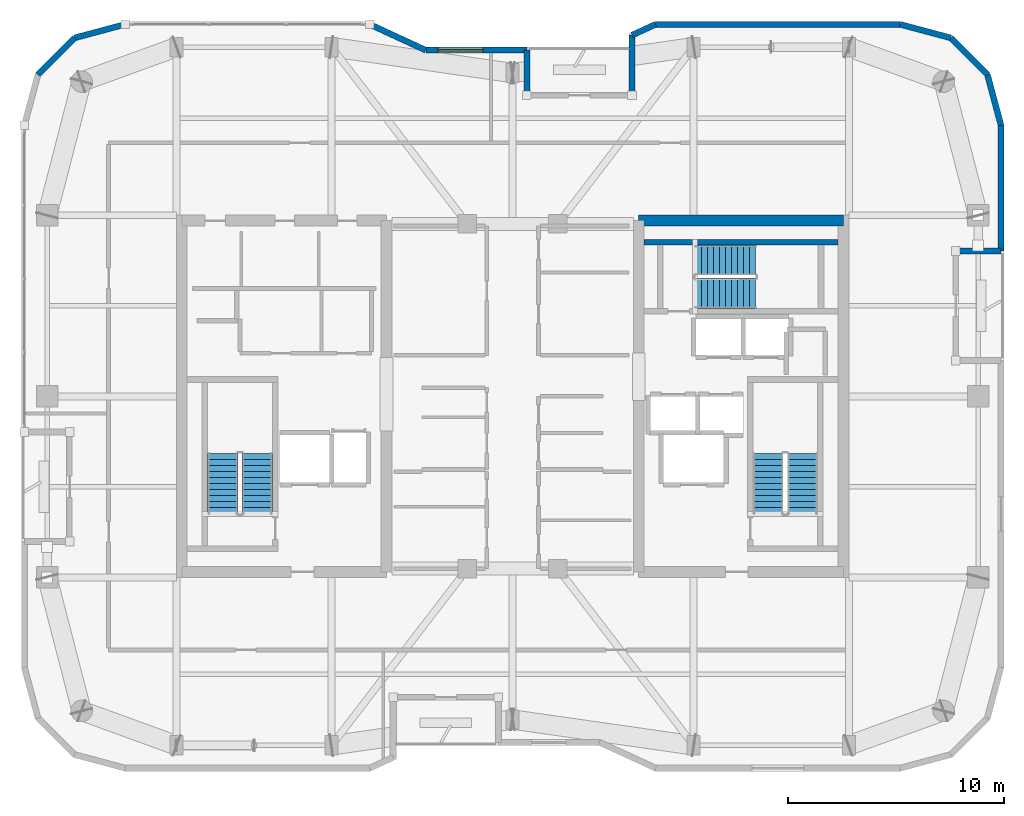
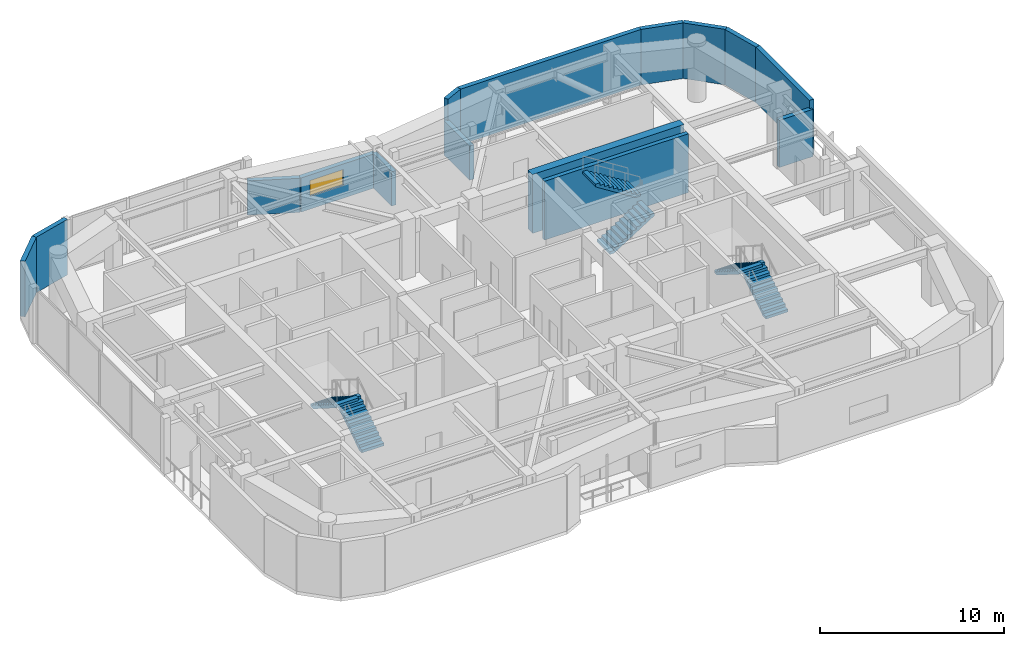
# One storey, part 13 of 15: 15 walls, 6 stair flights, 1 window, 1 opening, 3 elements without a shape of their own.
"""IFC4 building model written with IfcOpenShell, lengths in metres."""

from ifc_helpers import new_model, si_unit, direction, frame, frame_2d, origin, place, context, subcontext, project, spatial, polyline, rectangle, outline, extrude, material, layer, layer_set, type_object, element, fill, aggregate, save


model = new_model("IFC4")

# Units and contexts
model_context = context("Model", 3, precision=1e-05, world=origin(), true_north=direction((0.0, 1.0)))
body_context = subcontext(model_context, "Body", "Model", "MODEL_VIEW")
ifc_project = project(units=[si_unit("LENGTHUNIT", "METRE"), si_unit("AREAUNIT", "SQUARE_METRE"), si_unit("VOLUMEUNIT", "CUBIC_METRE"), si_unit("PLANEANGLEUNIT", "RADIAN"), si_unit("MASSUNIT", "GRAM", prefix="KILO")], contexts=[model_context])

# Site, building, storey
site_placement = place(None, origin())
site = spatial("IfcSite", under=ifc_project, at=site_placement, CompositionType="ELEMENT")
building_placement = place(site_placement, origin())
building = spatial("IfcBuilding", under=site, at=building_placement, Name="Kiyonajd Concourse Tower", CompositionType="ELEMENT")
storey_placement = place(building_placement, frame((0.0, 0.0, 290.10009765625)))
storey = spatial("IfcBuildingStorey", under=building, at=storey_placement, Name="L73", CompositionType="ELEMENT", Elevation=290.10009765625)

# Walls
ifc_material_1 = material(Name="Concrete C60/75", Category="concrete")
ifc_layer_1 = layer(ifc_material_1, 0.5)
ifc_layer_set_1 = layer_set([ifc_layer_1], Name="Concrete C60/75")
wall_type_1 = type_object("IfcWallType", Name="WL-CORE-500", PredefinedType="SHEAR", material=ifc_layer_set_1)
wall_1_placement = place(storey_placement, frame((53.85009765625, 44.14990234375, 0.0), z_axis=(0.0, 0.0, 1.0), x_axis=(1.0, 0.0, 0.0)))
element("IfcWall", 1, at=wall_1_placement, inside=storey, type_object=wall_type_1, Name="L73 East Core North Shear Wall", PredefinedType="SHEAR", context=body_context, shape_type="SweptSolid", body=[
    extrude(rectangle(XDim=9.5, YDim=0.5, at=frame_2d((4.75, 0.0))), origin(), (0.0, 0.0, 1.0), 3.89990234375),
])
ifc_material_2 = material(Name="Precast concrete C50/60", Category="concrete")
ifc_layer_2 = layer(ifc_material_2, 0.280029296875)
ifc_layer_set_2 = layer_set([ifc_layer_2], Name="Precast concrete C50/60")
wall_type_2 = type_object("IfcWallType", Name="WL-EXT-280", PredefinedType="SOLIDWALL", material=ifc_layer_set_2)
wall_2_placement = place(storey_placement, frame((25.968505859375, 50.927490234375, 0.0), z_axis=(0.0, 0.0, 1.0), x_axis=(0.707106781187, 0.707106781187, 0.0)))
element("IfcWall", 2, at=wall_2_placement, inside=storey, type_object=wall_type_2, Name="L73 Exterior Concrete Frame Wall 07", PredefinedType="SOLIDWALL", context=body_context, shape_type="SweptSolid", body=[
    extrude(rectangle(XDim=2.409912109375, YDim=0.280029296875, at=frame_2d((1.205078125, 0.0))), origin(), (0.0, 0.0, 1.0), 3.679931640625),
])
wall_3_placement = place(storey_placement, frame((27.672607421875, 52.631591796875, 0.0), z_axis=(0.0, 0.0, 1.0), x_axis=(0.965937282298, 0.25877628691, 0.0)))
element("IfcWall", 3, at=wall_3_placement, inside=storey, type_object=wall_type_2, Name="L73 Exterior Concrete Frame Wall 08", PredefinedType="SOLIDWALL", context=body_context, shape_type="SweptSolid", body=[
    extrude(rectangle(XDim=2.428466796875, YDim=0.280029296875, at=frame_2d((1.21435546875, 0.0))), origin(), (0.0, 0.0, 1.0), 3.679931640625),
])
wall_4_placement = place(storey_placement, frame((41.369384765625, 53.260009765625, 0.0), z_axis=(0.0, 0.0, 1.0), x_axis=(0.907956889006, -0.419063584324, 0.0)))
element("IfcWall", 4, at=wall_4_placement, inside=storey, type_object=wall_type_2, Name="L73 Exterior Concrete Frame Wall 10", PredefinedType="SOLIDWALL", context=body_context, shape_type="SweptSolid", body=[
    extrude(rectangle(XDim=2.863525390625, YDim=0.280029296875, at=frame_2d((1.431640625, 0.0))), origin(), (0.0, 0.0, 1.0), 2.264892578125),
])

# Wall, opening, window
wall_5_placement = place(storey_placement, frame((43.96923828125, 52.06005859375, 0.0), z_axis=(0.0, 0.0, 1.0), x_axis=(1.0, 0.0, 0.0)))
wall_5 = element("IfcWall", 5, at=wall_5_placement, inside=storey, type_object=wall_type_2, Name="L73 Exterior Concrete Frame Wall 11", PredefinedType="SOLIDWALL", context=body_context, shape_type="SweptSolid", body=[
    extrude(rectangle(XDim=4.690673828125, YDim=0.280029296875, at=frame_2d((2.34521484375, 0.0))), origin(), (0.0, 0.0, 1.0), 2.264892578125),
])
opening_placement = place(wall_5_placement, frame((0.56005859375, 0.0, 0.85009765625)))
opening = element("IfcOpeningElement", 6, at=opening_placement, cuts=wall_5, Name="Opening WN5", PredefinedType="OPENING", context=body_context, shape_type="SweptSolid", body=[
    extrude(rectangle(XDim=2.10009765625, YDim=1.050048828125, at=frame_2d((1.050048828125, 0.52490234375))), frame((0.0, 0.14990234375, 0.0), z_axis=(0.0, -1.0, 0.0), x_axis=(1.0, 0.0, 0.0)), (0.0, 0.0, 1.0), 0.300048828125),
])
ifc_material_3 = material(Name="Double Low-E Insulated Glass", Category="glass")
window_type = type_object("IfcWindowType", Name="WN-VIS-2100x1050", PartitioningType="SINGLE_PANEL", PredefinedType="WINDOW", material=ifc_material_3)
window_placement = place(opening_placement, origin())
window = element("IfcWindow", 7, at=window_placement, inside=storey, type_object=window_type, Name="L73 Modular Facade Vision Window 11", OverallHeight=1.050048828125, OverallWidth=2.10009765625, PartitioningType="SINGLE_PANEL", PredefinedType="WINDOW", context=body_context, shape_type="SweptSolid", body=[
    extrude(rectangle(XDim=2.10009765625, YDim=1.050048828125, at=frame_2d((1.050048828125, 0.52490234375))), frame((0.0, 0.030029296875, 0.0), z_axis=(0.0, -1.0, 0.0), x_axis=(1.0, 0.0, 0.0)), (0.0, 0.0, 1.0), 0.06005859375),
])
fill(opening, window)

# Walls
wall_6_placement = place(storey_placement, frame((48.659912109375, 52.06005859375, 0.0), z_axis=(0.0, 0.0, 1.0), x_axis=(0.0, -1.0, 0.0)))
element("IfcWall", 8, at=wall_6_placement, inside=storey, type_object=wall_type_2, Name="L73 Exterior Concrete Frame Wall 12", PredefinedType="SOLIDWALL", context=body_context, shape_type="SweptSolid", body=[
    extrude(rectangle(XDim=2.10009765625, YDim=0.280029296875, at=frame_2d((1.050048828125, 0.0))), origin(), (0.0, 0.0, 1.0), 2.264892578125),
])
wall_7_placement = place(storey_placement, frame((53.5400390625, 49.9599609375, 0.0), z_axis=(0.0, 0.0, 1.0), x_axis=(0.0, 1.0, 0.0)))
element("IfcWall", 9, at=wall_7_placement, inside=storey, type_object=wall_type_2, Name="L73 Exterior Concrete Frame Wall 14", PredefinedType="SOLIDWALL", context=body_context, shape_type="SweptSolid", body=[
    extrude(rectangle(XDim=2.79638671875, YDim=0.280029296875, at=frame_2d((1.398193359375, 0.0))), origin(), (0.0, 0.0, 1.0), 2.264892578125),
])
wall_8_placement = place(storey_placement, frame((53.5400390625, 52.75634765625, 0.0), z_axis=(0.0, 0.0, 1.0), x_axis=(0.907893953211, 0.419199916176, 0.0)))
element("IfcWall", 10, at=wall_8_placement, inside=storey, type_object=wall_type_2, Name="L73 Exterior Concrete Frame Wall 15", PredefinedType="SOLIDWALL", context=body_context, shape_type="SweptSolid", body=[
    extrude(rectangle(XDim=1.201416015625, YDim=0.280029296875, at=frame_2d((0.6005859375, 0.0))), origin(), (0.0, 0.0, 1.0), 3.679931640625),
])
wall_9_placement = place(storey_placement, frame((54.630859375, 53.260009765625, 0.0), z_axis=(0.0, 0.0, 1.0), x_axis=(1.0, 0.0, 0.0)))
element("IfcWall", 11, at=wall_9_placement, inside=storey, type_object=wall_type_2, Name="L73 Exterior Concrete Frame Wall 16", PredefinedType="SOLIDWALL", context=body_context, shape_type="SweptSolid", body=[
    extrude(rectangle(XDim=11.350830078125, YDim=0.280029296875, at=frame_2d((5.67529296875, 0.0))), origin(), (0.0, 0.0, 1.0), 3.679931640625),
])
wall_10_placement = place(storey_placement, frame((65.981689453125, 53.260009765625, 0.0), z_axis=(0.0, 0.0, 1.0), x_axis=(0.965937282298, -0.25877628691, 0.0)))
element("IfcWall", 12, at=wall_10_placement, inside=storey, type_object=wall_type_2, Name="L73 Exterior Concrete Frame Wall 17", PredefinedType="SOLIDWALL", context=body_context, shape_type="SweptSolid", body=[
    extrude(rectangle(XDim=2.428466796875, YDim=0.280029296875, at=frame_2d((1.21435546875, 0.0))), origin(), (0.0, 0.0, 1.0), 3.679931640625),
])
wall_11_placement = place(storey_placement, frame((68.327392578125, 52.631591796875, 0.0), z_axis=(0.0, 0.0, 1.0), x_axis=(0.707106781187, -0.707106781187, 0.0)))
element("IfcWall", 13, at=wall_11_placement, inside=storey, type_object=wall_type_2, Name="L73 Exterior Concrete Frame Wall 18", PredefinedType="SOLIDWALL", context=body_context, shape_type="SweptSolid", body=[
    extrude(rectangle(XDim=2.409912109375, YDim=0.280029296875, at=frame_2d((1.205078125, 0.0))), origin(), (0.0, 0.0, 1.0), 3.679931640625),
])
wall_12_placement = place(storey_placement, frame((70.031494140625, 50.927490234375, 0.0), z_axis=(0.0, 0.0, 1.0), x_axis=(0.258751159445, -0.965944013639, 0.0)))
element("IfcWall", 14, at=wall_12_placement, inside=storey, type_object=wall_type_2, Name="L73 Exterior Concrete Frame Wall 19", PredefinedType="SOLIDWALL", context=body_context, shape_type="SweptSolid", body=[
    extrude(rectangle(XDim=2.4287109375, YDim=0.280029296875, at=frame_2d((1.21435546875, 0.0))), origin(), (0.0, 0.0, 1.0), 3.679931640625),
])
wall_13_placement = place(storey_placement, frame((70.659912109375, 48.58154296875, 0.0), z_axis=(0.0, 0.0, 1.0), x_axis=(0.0, -1.0, 0.0)))
element("IfcWall", 15, at=wall_13_placement, inside=storey, type_object=wall_type_2, Name="L73 Exterior Concrete Frame Wall 20", PredefinedType="SOLIDWALL", context=body_context, shape_type="SweptSolid", body=[
    extrude(rectangle(XDim=5.841552734375, YDim=0.280029296875, at=frame_2d((2.9208984375, 0.0))), origin(), (0.0, 0.0, 1.0), 3.679931640625),
])
wall_14_placement = place(storey_placement, frame((70.659912109375, 42.739990234375, 0.0), z_axis=(0.0, 0.0, 1.0), x_axis=(-1.0, 0.0, 0.0)))
element("IfcWall", 16, at=wall_14_placement, inside=storey, type_object=wall_type_2, Name="L73 Exterior Concrete Frame Wall 21", PredefinedType="SOLIDWALL", context=body_context, shape_type="SweptSolid", body=[
    extrude(rectangle(XDim=2.099853515625, YDim=0.280029296875, at=frame_2d((1.0498046875, 0.0))), origin(), (0.0, 0.0, 1.0), 3.1259765625),
])
ifc_material_4 = material(Name="Concrete C50/60", Category="concrete")
ifc_layer_3 = layer(ifc_material_4, 0.260009765625)
ifc_layer_set_3 = layer_set([ifc_layer_3], Name="Concrete C50/60")
wall_type_3 = type_object("IfcWallType", Name="WL-STAIR-260", PredefinedType="SHEAR", material=ifc_layer_set_3)
wall_15_placement = place(storey_placement, frame((54.10009765625, 43.14990234375, 0.0), z_axis=(0.0, 0.0, 1.0), x_axis=(1.0, 0.0, 0.0)))
element("IfcWall", 17, at=wall_15_placement, inside=storey, type_object=wall_type_3, Name="L73 Stair ST3 Structural North Wall", PredefinedType="SHEAR", context=body_context, shape_type="SweptSolid", body=[
    extrude(rectangle(XDim=9.0, YDim=0.260009765625, at=frame_2d((4.5, 0.0))), origin(), (0.0, 0.0, 1.0), 3.89990234375),
])

# Stair, stair flights
ifc_material_5 = material(Name="Concrete C40/50", Category="concrete")
stair_type = type_object("IfcStairType", Name="ST-DLG-22R", PredefinedType="HALF_TURN_STAIR", material=ifc_material_5)
stair_1_placement = place(storey_placement, origin())
stair_1 = element("IfcStair", 18, at=stair_1_placement, inside=storey, type_object=stair_type, Name="L73 Protected Exit Stair ST1", PredefinedType="HALF_TURN_STAIR")
stair_flight_type = type_object("IfcStairFlightType", Name="SF-STR-22R", PredefinedType="STRAIGHT", material=ifc_material_5)
stair_flight_1_placement = place(storey_placement, frame((36.14990234375, 30.550048828125, 0.0), z_axis=(0.0, 0.0, 1.0), x_axis=(0.0, 1.0, 0.0)))
stair_flight_1 = element("IfcStairFlight", 19, at=stair_flight_1_placement, type_object=stair_flight_type, Name="ST1 flight 1", NumberOfRisers=11, NumberOfTreads=10, PredefinedType="STRAIGHT", RiserHeight=0.177272727, TreadLength=0.28, context=body_context, shape_type="SweptSolid", body=[
    extrude(outline(polyline([(0.0, 0.0), (0.0, 0.17724609375), (0.280029296875, 0.17724609375), (0.280029296875, 0.3544921875), (0.56005859375, 0.3544921875), (0.56005859375, 0.53173828125), (0.840087890625, 0.53173828125), (0.840087890625, 0.708984375), (1.1201171875, 0.708984375), (1.1201171875, 0.886474609375), (1.39990234375, 0.886474609375), (1.39990234375, 1.063720703125), (1.679931640625, 1.063720703125), (1.679931640625, 1.240966796875), (1.9599609375, 1.240966796875), (1.9599609375, 1.418212890625), (2.239990234375, 1.418212890625), (2.239990234375, 1.595458984375), (2.52001953125, 1.595458984375), (2.52001953125, 1.772705078125), (2.800048828125, 1.772705078125), (2.800048828125, 1.949951171875), (2.800048828125, 1.59521484375), (0.2802734375, 0.0), (0.0, 0.0)])), frame((0.0, 0.699951171875, 0.0), z_axis=(0.0, -1.0, 0.0), x_axis=(1.0, 0.0, 0.0)), (0.0, 0.0, 1.0), 1.39990234375),
])
stair_flight_2_placement = place(storey_placement, frame((34.550048828125, 33.35009765625, 1.949951171875), z_axis=(0.0, 0.0, 1.0), x_axis=(0.0, -1.0, 0.0)))
stair_flight_2 = element("IfcStairFlight", 20, at=stair_flight_2_placement, type_object=stair_flight_type, Name="ST1 flight 2", NumberOfRisers=11, NumberOfTreads=10, PredefinedType="STRAIGHT", RiserHeight=0.177272727, TreadLength=0.28, context=body_context, shape_type="SweptSolid", body=[
    extrude(outline(polyline([(0.0, 0.0), (0.0, 0.17724609375), (0.280029296875, 0.17724609375), (0.280029296875, 0.3544921875), (0.56005859375, 0.3544921875), (0.56005859375, 0.53173828125), (0.840087890625, 0.53173828125), (0.840087890625, 0.708984375), (1.1201171875, 0.708984375), (1.1201171875, 0.886474609375), (1.39990234375, 0.886474609375), (1.39990234375, 1.063720703125), (1.679931640625, 1.063720703125), (1.679931640625, 1.240966796875), (1.9599609375, 1.240966796875), (1.9599609375, 1.418212890625), (2.239990234375, 1.418212890625), (2.239990234375, 1.595458984375), (2.52001953125, 1.595458984375), (2.52001953125, 1.772705078125), (2.800048828125, 1.772705078125), (2.800048828125, 1.949951171875), (2.800048828125, 1.59521484375), (0.2802734375, 0.0), (0.0, 0.0)])), frame((0.0, 0.699951171875, 0.0), z_axis=(0.0, -1.0, 0.0), x_axis=(1.0, 0.0, 0.0)), (0.0, 0.0, 1.0), 1.39990234375),
])
aggregate(stair_1, [stair_flight_1, stair_flight_2])

stair_2_placement = place(storey_placement, origin())
stair_2 = element("IfcStair", 21, at=stair_2_placement, inside=storey, type_object=stair_type, Name="L73 Protected Exit Stair ST2", PredefinedType="HALF_TURN_STAIR")
stair_flight_3_placement = place(storey_placement, frame((61.449951171875, 30.550048828125, 0.0), z_axis=(0.0, 0.0, 1.0), x_axis=(0.0, 1.0, 0.0)))
stair_flight_3 = element("IfcStairFlight", 22, at=stair_flight_3_placement, type_object=stair_flight_type, Name="ST2 flight 1", NumberOfRisers=11, NumberOfTreads=10, PredefinedType="STRAIGHT", RiserHeight=0.177272727, TreadLength=0.28, context=body_context, shape_type="SweptSolid", body=[
    extrude(outline(polyline([(0.0, 0.0), (0.0, 0.17724609375), (0.280029296875, 0.17724609375), (0.280029296875, 0.3544921875), (0.56005859375, 0.3544921875), (0.56005859375, 0.53173828125), (0.840087890625, 0.53173828125), (0.840087890625, 0.708984375), (1.1201171875, 0.708984375), (1.1201171875, 0.886474609375), (1.39990234375, 0.886474609375), (1.39990234375, 1.063720703125), (1.679931640625, 1.063720703125), (1.679931640625, 1.240966796875), (1.9599609375, 1.240966796875), (1.9599609375, 1.418212890625), (2.239990234375, 1.418212890625), (2.239990234375, 1.595458984375), (2.52001953125, 1.595458984375), (2.52001953125, 1.772705078125), (2.800048828125, 1.772705078125), (2.800048828125, 1.949951171875), (2.800048828125, 1.59521484375), (0.2802734375, 0.0), (0.0, 0.0)])), frame((0.0, 0.699951171875, 0.0), z_axis=(0.0, -1.0, 0.0), x_axis=(1.0, 0.0, 0.0)), (0.0, 0.0, 1.0), 1.39990234375),
])
stair_flight_4_placement = place(storey_placement, frame((59.85009765625, 33.35009765625, 1.949951171875), z_axis=(0.0, 0.0, 1.0), x_axis=(0.0, -1.0, 0.0)))
stair_flight_4 = element("IfcStairFlight", 23, at=stair_flight_4_placement, type_object=stair_flight_type, Name="ST2 flight 2", NumberOfRisers=11, NumberOfTreads=10, PredefinedType="STRAIGHT", RiserHeight=0.177272727, TreadLength=0.28, context=body_context, shape_type="SweptSolid", body=[
    extrude(outline(polyline([(0.0, 0.0), (0.0, 0.17724609375), (0.280029296875, 0.17724609375), (0.280029296875, 0.3544921875), (0.56005859375, 0.3544921875), (0.56005859375, 0.53173828125), (0.840087890625, 0.53173828125), (0.840087890625, 0.708984375), (1.1201171875, 0.708984375), (1.1201171875, 0.886474609375), (1.39990234375, 0.886474609375), (1.39990234375, 1.063720703125), (1.679931640625, 1.063720703125), (1.679931640625, 1.240966796875), (1.9599609375, 1.240966796875), (1.9599609375, 1.418212890625), (2.239990234375, 1.418212890625), (2.239990234375, 1.595458984375), (2.52001953125, 1.595458984375), (2.52001953125, 1.772705078125), (2.800048828125, 1.772705078125), (2.800048828125, 1.949951171875), (2.800048828125, 1.59521484375), (0.2802734375, 0.0), (0.0, 0.0)])), frame((0.0, 0.699951171875, 0.0), z_axis=(0.0, -1.0, 0.0), x_axis=(1.0, 0.0, 0.0)), (0.0, 0.0, 1.0), 1.39990234375),
])
aggregate(stair_2, [stair_flight_3, stair_flight_4])

stair_3_placement = place(storey_placement, origin())
stair_3 = element("IfcStair", 24, at=stair_3_placement, inside=storey, type_object=stair_type, Name="L73 Protected Exit Stair ST3", PredefinedType="HALF_TURN_STAIR")
stair_flight_5_placement = place(storey_placement, frame((56.47998046875, 40.780029296875, 0.0), z_axis=(0.0, 0.0, 1.0), x_axis=(1.0, 0.0, 0.0)))
stair_flight_5 = element("IfcStairFlight", 25, at=stair_flight_5_placement, type_object=stair_flight_type, Name="ST3 flight 1", NumberOfRisers=11, NumberOfTreads=10, PredefinedType="STRAIGHT", RiserHeight=0.177272727, TreadLength=0.28, context=body_context, shape_type="SweptSolid", body=[
    extrude(outline(polyline([(0.0, 0.0), (0.0, 0.17724609375), (0.280029296875, 0.17724609375), (0.280029296875, 0.3544921875), (0.56005859375, 0.3544921875), (0.56005859375, 0.53173828125), (0.840087890625, 0.53173828125), (0.840087890625, 0.708984375), (1.1201171875, 0.708984375), (1.1201171875, 0.886474609375), (1.39990234375, 0.886474609375), (1.39990234375, 1.063720703125), (1.679931640625, 1.063720703125), (1.679931640625, 1.240966796875), (1.9599609375, 1.240966796875), (1.9599609375, 1.418212890625), (2.239990234375, 1.418212890625), (2.239990234375, 1.595458984375), (2.52001953125, 1.595458984375), (2.52001953125, 1.772705078125), (2.800048828125, 1.772705078125), (2.800048828125, 1.949951171875), (2.800048828125, 1.59521484375), (0.2802734375, 0.0), (0.0, 0.0)])), frame((0.0, 0.699951171875, 0.0), z_axis=(0.0, -1.0, 0.0), x_axis=(1.0, 0.0, 0.0)), (0.0, 0.0, 1.0), 1.39990234375),
])
stair_flight_6_placement = place(storey_placement, frame((59.280029296875, 42.320068359375, 1.949951171875), z_axis=(0.0, 0.0, 1.0), x_axis=(-1.0, 0.0, 0.0)))
stair_flight_6 = element("IfcStairFlight", 26, at=stair_flight_6_placement, type_object=stair_flight_type, Name="ST3 flight 2", NumberOfRisers=11, NumberOfTreads=10, PredefinedType="STRAIGHT", RiserHeight=0.177272727, TreadLength=0.28, context=body_context, shape_type="SweptSolid", body=[
    extrude(outline(polyline([(0.0, 0.0), (0.0, 0.17724609375), (0.280029296875, 0.17724609375), (0.280029296875, 0.3544921875), (0.56005859375, 0.3544921875), (0.56005859375, 0.53173828125), (0.840087890625, 0.53173828125), (0.840087890625, 0.708984375), (1.1201171875, 0.708984375), (1.1201171875, 0.886474609375), (1.39990234375, 0.886474609375), (1.39990234375, 1.063720703125), (1.679931640625, 1.063720703125), (1.679931640625, 1.240966796875), (1.9599609375, 1.240966796875), (1.9599609375, 1.418212890625), (2.239990234375, 1.418212890625), (2.239990234375, 1.595458984375), (2.52001953125, 1.595458984375), (2.52001953125, 1.772705078125), (2.800048828125, 1.772705078125), (2.800048828125, 1.949951171875), (2.800048828125, 1.59521484375), (0.2802734375, 0.0), (0.0, 0.0)])), frame((0.0, 0.699951171875, 0.0), z_axis=(0.0, -1.0, 0.0), x_axis=(1.0, 0.0, 0.0)), (0.0, 0.0, 1.0), 1.39990234375),
])
aggregate(stair_3, [stair_flight_5, stair_flight_6])

save(model, "model.ifc")
